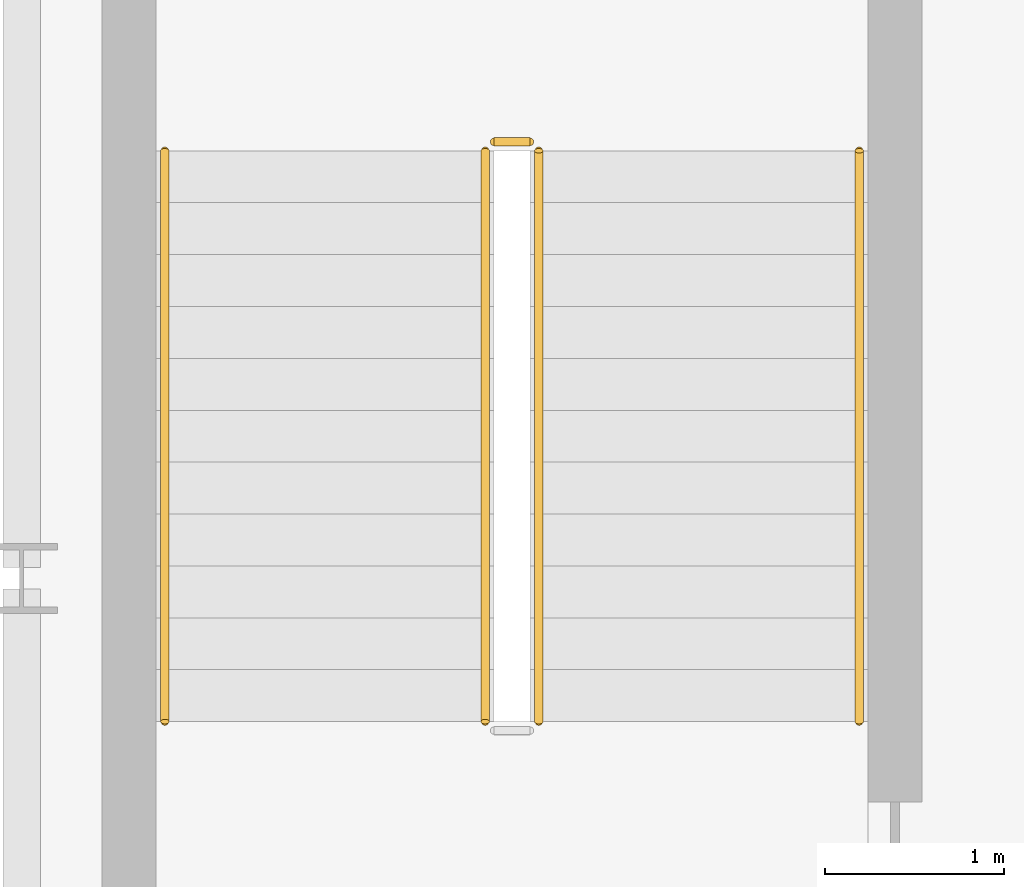
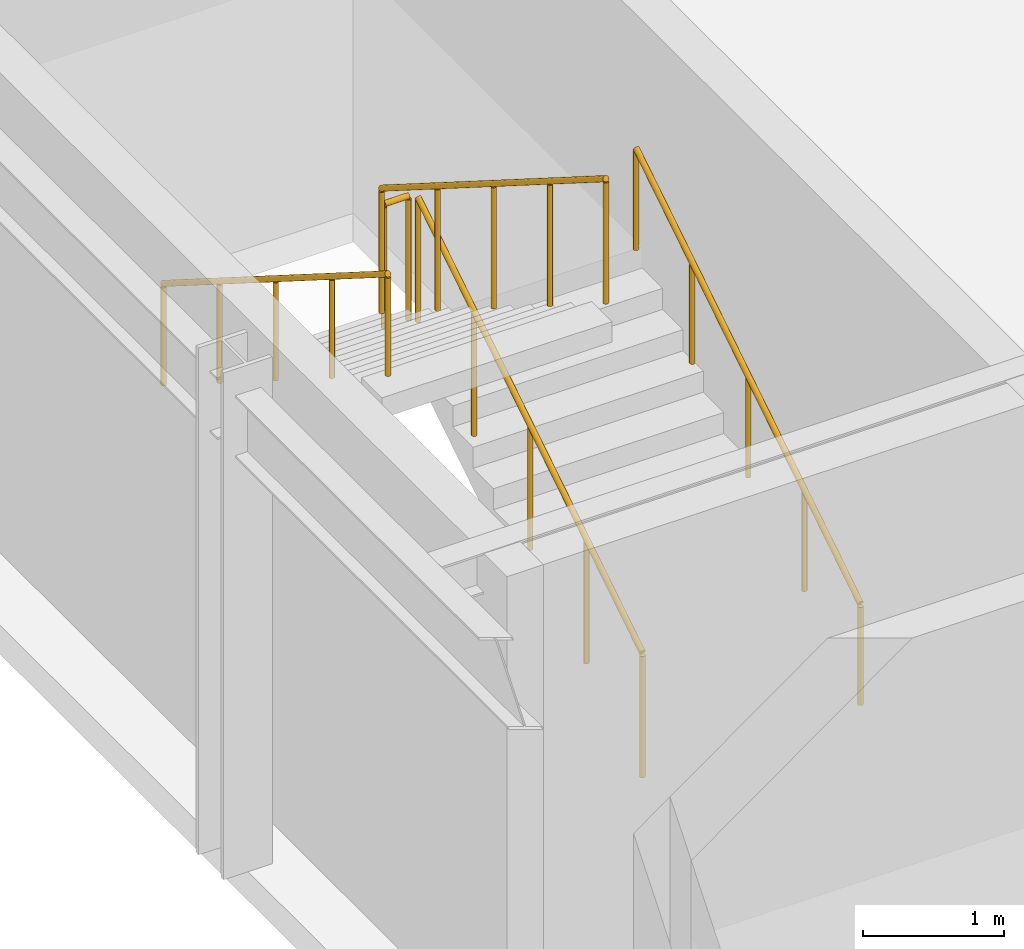
# One storey, part 76 of 83: 5 railings.
"""IFC4 building model written with IfcOpenShell, lengths in metres."""

from ifc_helpers import new_model, si_unit, direction, frame, origin, origin_2d, place, context, subcontext, project, spatial, circle, extrude, material, type_object, element, save


model = new_model("IFC4")

# Units and contexts
model_context = context("Model", 3, precision=1e-05, world=origin(), true_north=direction((0.0, 1.0)))
body_context = subcontext(model_context, "Body", "Model", "MODEL_VIEW")
ifc_project = project(units=[si_unit("LENGTHUNIT", "METRE"), si_unit("AREAUNIT", "SQUARE_METRE"), si_unit("VOLUMEUNIT", "CUBIC_METRE"), si_unit("PLANEANGLEUNIT", "RADIAN"), si_unit("MASSUNIT", "GRAM", prefix="KILO")], contexts=[model_context])

# Site, building, storey
site_placement = place(None, origin())
site = spatial("IfcSite", under=ifc_project, at=site_placement, CompositionType="ELEMENT")
building_placement = place(site_placement, origin())
building = spatial("IfcBuilding", under=site, at=building_placement, Name="Drelvath Fold Interchange", CompositionType="ELEMENT")
storey_placement = place(building_placement, frame((0.0, 0.0, 11.199951171875)))
storey = spatial("IfcBuildingStorey", under=building, at=storey_placement, Name="L02", CompositionType="ELEMENT", Elevation=11.199951171875)

# Railings
ifc_material = material(Name="Stainless Steel 316L", Category="steel")
railing_type_1 = type_object("IfcRailingType", Name="RL-GRD1100", PredefinedType="GUARDRAIL", material=ifc_material)
railing_1_placement = place(storey_placement, frame((6.889892578125, 26.199951171875, 0.183349609375)))
element("IfcRailing", 1, at=railing_1_placement, inside=storey, type_object=railing_type_1, Name="L02 ST-02 stair guard 1", PredefinedType="GUARDRAIL", context=body_context, shape_type="SweptSolid", body=[
    extrude(circle(Radius=0.02392578125, at=origin_2d()), frame((0.0, 0.0, 1.076171875), z_axis=(0.0, 0.845261316591, 0.534353166619), x_axis=(-1.0, 0.0, 0.0)), (0.0, 0.0, 1.0), 3.77392578125),
    extrude(circle(Radius=0.02099609375, at=origin_2d()), origin(), (0.0, 0.0, 1.0), 1.052001953125),
    extrude(circle(Radius=0.02099609375, at=origin_2d()), frame((0.0, 0.79736328125, 0.504150390625)), (0.0, 0.0, 1.0), 1.052001953125),
    extrude(circle(Radius=0.02099609375, at=origin_2d()), frame((0.0, 1.594970703125, 1.00830078125)), (0.0, 0.0, 1.0), 1.052001953125),
    extrude(circle(Radius=0.02099609375, at=origin_2d()), frame((0.0, 2.392578125, 1.512451171875)), (0.0, 0.0, 1.0), 1.052001953125),
    extrude(circle(Radius=0.02099609375, at=origin_2d()), frame((0.0, 3.18994140625, 2.0166015625)), (0.0, 0.0, 1.0), 1.052001953125),
])
railing_2_placement = place(storey_placement, frame((6.840087890625, 29.43994140625, 2.199951171875)))
element("IfcRailing", 2, at=railing_2_placement, inside=storey, type_object=railing_type_1, Name="L02 ST-02 stair guard 2", PredefinedType="GUARDRAIL", context=body_context, shape_type="SweptSolid", body=[
    extrude(circle(Radius=0.02392578125, at=origin_2d()), frame((0.0, 0.0, 1.076171875), z_axis=(-1.0, 0.0, 0.0), x_axis=(0.0, -1.0, 0.0)), (0.0, 0.0, 1.0), 0.2001953125),
    extrude(circle(Radius=0.02099609375, at=origin_2d()), origin(), (0.0, 0.0, 1.0), 1.052001953125),
    extrude(circle(Radius=0.02099609375, at=origin_2d()), frame((-0.2001953125, 0.0, 0.0)), (0.0, 0.0, 1.0), 1.052001953125),
])
railing_3_placement = place(storey_placement, frame((6.590087890625, 29.389892578125, 2.38330078125)))
element("IfcRailing", 3, at=railing_3_placement, inside=storey, type_object=railing_type_1, Name="L02 ST-02 stair guard 3", PredefinedType="GUARDRAIL", context=body_context, shape_type="SweptSolid", body=[
    extrude(circle(Radius=0.02392578125, at=origin_2d()), frame((0.0, 0.0, 1.076171875), z_axis=(0.0, -0.845232097178, 0.534399384263), x_axis=(1.0, 0.0, 0.0)), (0.0, 0.0, 1.0), 3.77392578125),
    extrude(circle(Radius=0.02099609375, at=origin_2d()), origin(), (0.0, 0.0, 1.0), 1.052001953125),
    extrude(circle(Radius=0.02099609375, at=origin_2d()), frame((0.0, -0.79736328125, 0.504150390625)), (0.0, 0.0, 1.0), 1.052001953125),
    extrude(circle(Radius=0.02099609375, at=origin_2d()), frame((0.0, -1.594970703125, 1.00830078125)), (0.0, 0.0, 1.0), 1.052001953125),
    extrude(circle(Radius=0.02099609375, at=origin_2d()), frame((0.0, -2.392578125, 1.5126953125)), (0.0, 0.0, 1.0), 1.052001953125),
    extrude(circle(Radius=0.02099609375, at=origin_2d()), frame((0.0, -3.18994140625, 2.016845703125)), (0.0, 0.0, 1.0), 1.052001953125),
])
railing_type_2 = type_object("IfcRailingType", Name="RL-HND920", PredefinedType="HANDRAIL", material=ifc_material)
railing_4_placement = place(storey_placement, frame((8.679931640625, 26.199951171875, 0.183349609375)))
element("IfcRailing", 4, at=railing_4_placement, inside=storey, type_object=railing_type_2, Name="L02 ST-02 stair handrail 1", PredefinedType="HANDRAIL", context=body_context, shape_type="SweptSolid", body=[
    extrude(circle(Radius=0.02392578125, at=origin_2d()), frame((0.0, 0.0, 0.8759765625), z_axis=(0.0, 0.845261316591, 0.534353166619), x_axis=(-1.0, 0.0, 0.0)), (0.0, 0.0, 1.0), 3.77392578125),
    extrude(circle(Radius=0.02099609375, at=origin_2d()), origin(), (0.0, 0.0, 1.0), 0.851806640625),
    extrude(circle(Radius=0.02099609375, at=origin_2d()), frame((0.0, 0.79736328125, 0.504150390625)), (0.0, 0.0, 1.0), 0.851806640625),
    extrude(circle(Radius=0.02099609375, at=origin_2d()), frame((0.0, 1.594970703125, 1.00830078125)), (0.0, 0.0, 1.0), 0.851806640625),
    extrude(circle(Radius=0.02099609375, at=origin_2d()), frame((0.0, 2.392578125, 1.512451171875)), (0.0, 0.0, 1.0), 0.851806640625),
    extrude(circle(Radius=0.02099609375, at=origin_2d()), frame((0.0, 3.18994140625, 2.0166015625)), (0.0, 0.0, 1.0), 0.851806640625),
])
railing_5_placement = place(storey_placement, frame((4.800048828125, 29.389892578125, 2.38330078125)))
element("IfcRailing", 5, at=railing_5_placement, inside=storey, type_object=railing_type_2, Name="L02 ST-02 stair handrail 2", PredefinedType="HANDRAIL", context=body_context, shape_type="SweptSolid", body=[
    extrude(circle(Radius=0.02392578125, at=origin_2d()), frame((0.0, 0.0, 0.8759765625), z_axis=(0.0, -0.845232097178, 0.534399384263), x_axis=(1.0, 0.0, 0.0)), (0.0, 0.0, 1.0), 3.77392578125),
    extrude(circle(Radius=0.02099609375, at=origin_2d()), origin(), (0.0, 0.0, 1.0), 0.851806640625),
    extrude(circle(Radius=0.02099609375, at=origin_2d()), frame((0.0, -0.79736328125, 0.504150390625)), (0.0, 0.0, 1.0), 0.851806640625),
    extrude(circle(Radius=0.02099609375, at=origin_2d()), frame((0.0, -1.594970703125, 1.00830078125)), (0.0, 0.0, 1.0), 0.851806640625),
    extrude(circle(Radius=0.02099609375, at=origin_2d()), frame((0.0, -2.392578125, 1.5126953125)), (0.0, 0.0, 1.0), 0.851806640625),
    extrude(circle(Radius=0.02099609375, at=origin_2d()), frame((0.0, -3.18994140625, 2.016845703125)), (0.0, 0.0, 1.0), 0.851806640625),
])

save(model, "model.ifc")
